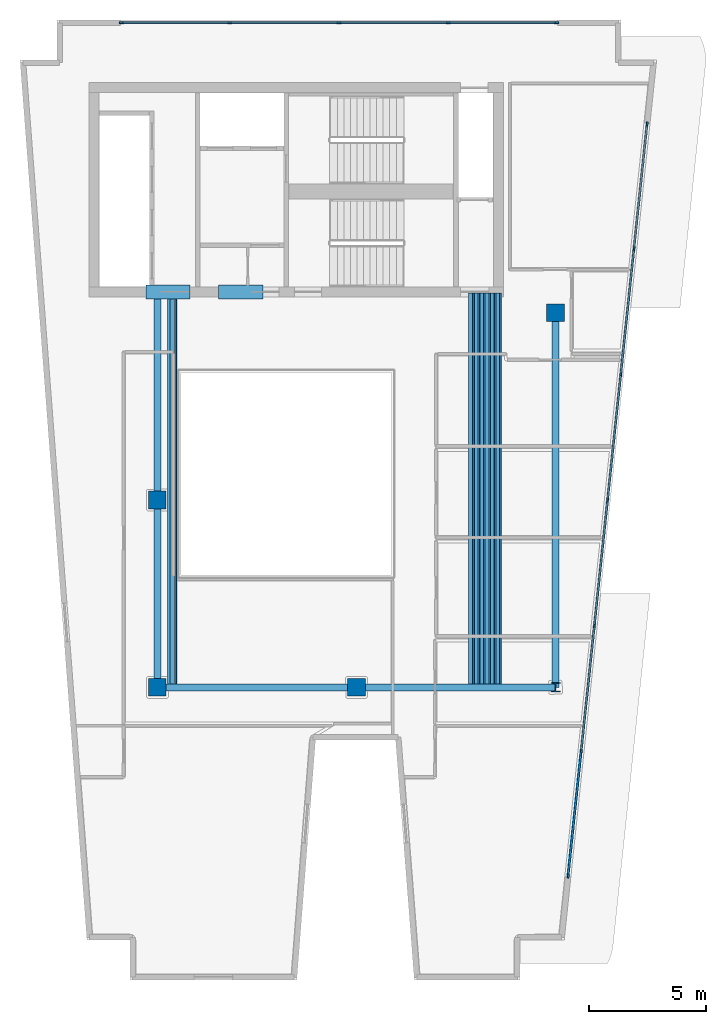
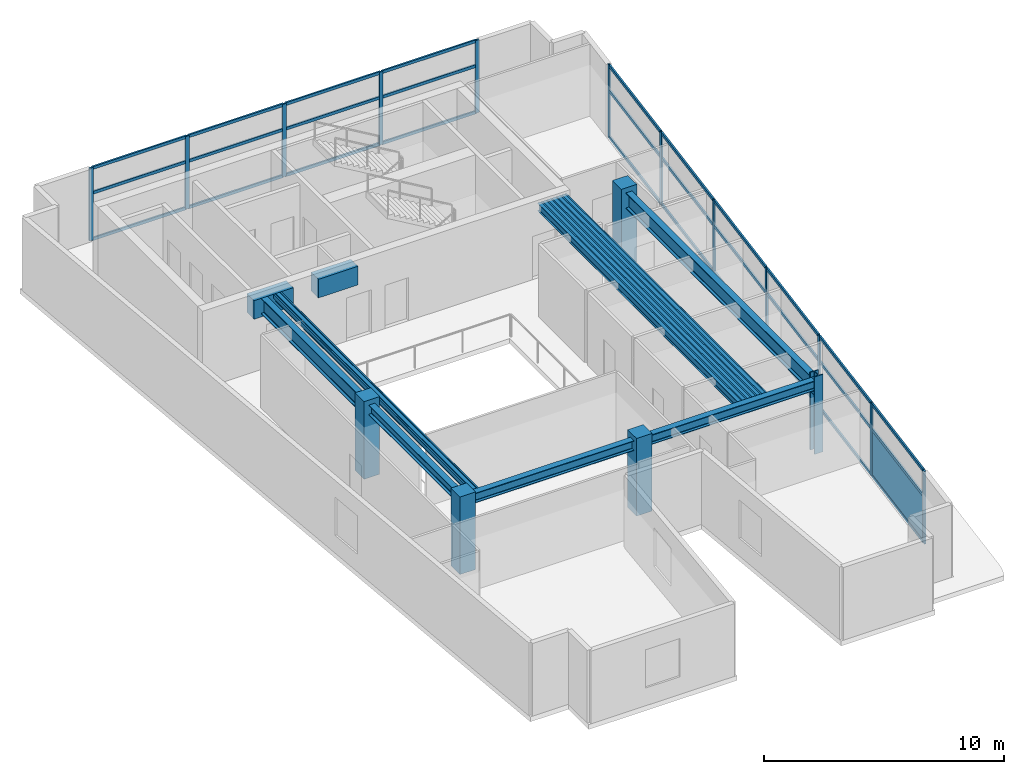
# One storey, part 1 of 6: 42 members, 22 beams, 5 columns, 1 plate, 2 elements without a shape of their own.
"""IFC4 building model written with IfcOpenShell, lengths in metres."""

from ifc_helpers import new_model, si_unit, direction, frame, origin, origin_2d, place, context, subcontext, project, spatial, rectangle, hollow_rectangle, i_section, extrude, material, layer, layer_set, material_profile, profile_set, type_object, element, aggregate, save


model = new_model("IFC4")

# Units and contexts
model_context = context("Model", 3, precision=1e-05, world=origin(), true_north=direction((0.0, 1.0)))
body_context = subcontext(model_context, "Body", "Model", "MODEL_VIEW")
ifc_project = project(units=[si_unit("LENGTHUNIT", "METRE"), si_unit("AREAUNIT", "SQUARE_METRE"), si_unit("VOLUMEUNIT", "CUBIC_METRE"), si_unit("PLANEANGLEUNIT", "RADIAN"), si_unit("MASSUNIT", "GRAM", prefix="KILO")], contexts=[model_context])

# Site, building, storey
site_placement = place(None, origin())
site = spatial("IfcSite", under=ifc_project, at=site_placement, CompositionType="ELEMENT")
building_placement = place(site_placement, origin())
building = spatial("IfcBuilding", under=site, at=building_placement, Name="Caeloran Harvest Quay", CompositionType="ELEMENT")
storey_placement = place(building_placement, frame((0.0, 0.0, 276.449951171875)))
storey = spatial("IfcBuildingStorey", under=building, at=storey_placement, Name="L66", CompositionType="ELEMENT", Elevation=276.449951171875)

# Columns
ifc_material_1 = material(Name="Concrete C60/75", Category="concrete")
ifc_material_profile_1 = material_profile(ifc_material_1, rectangle(XDim=0.75, YDim=0.75, at=origin_2d()), Name="RC 750x750")
ifc_profile_set_1 = profile_set([ifc_material_profile_1], Name="Concrete C60/75")
column_type_1 = type_object("IfcColumnType", Name="COL-MC-5-RC_750x750", PredefinedType="COLUMN", material=ifc_profile_set_1)
for number, where, z_axis, x_axis, name in (
    (1, (8.5, 15.0, 0.0), (0.0, 0.0, 1.0), (1.0, 0.0, 0.0), "L66 Structural Column (8.5, 15.0)"),
    (2, (8.5, 23.0, 0.0), (0.0, 0.0, 1.0), (1.0, 0.0, 0.0), "L66 Structural Column (8.5, 23.0)"),
    (3, (17.0, 15.0, 0.0), (0.0, 0.0, 1.0), (1.0, 0.0, 0.0), "L66 Structural Column (17.0, 15.0)"),
    (4, (25.5, 31.0, 0.0), (0.0, 0.0, 1.0), (1.0, 0.0, 0.0), "L66 Structural Column (25.5, 31.0)"),
):
    element("IfcColumn", number, at=place(storey_placement, frame(where, z_axis=z_axis, x_axis=x_axis)), inside=storey, type_object=column_type_1, Name=name, PredefinedType="COLUMN", context=body_context, shape_type="SweptSolid", body=[
        extrude(rectangle(XDim=0.75, YDim=0.75, at=origin_2d()), origin(), (0.0, 0.0, 1.0), 3.949951171875),
    ])
ifc_material_2 = material(Name="Steel HISTAR 460", Category="steel")
ifc_material_profile_2 = material_profile(ifc_material_2, i_section(OverallWidth=0.406005859375, OverallDepth=0.416015625, WebThickness=0.02978515625, FlangeThickness=0.048095703125, FilletRadius=0.014892578125, at=origin_2d()), Name="HD 400x382")
ifc_profile_set_2 = profile_set([ifc_material_profile_2], Name="Steel HISTAR 460")
column_type_2 = type_object("IfcColumnType", Name="COL-SC-5-HD_400x382", PredefinedType="COLUMN", material=ifc_profile_set_2)
column_placement = place(storey_placement, frame((25.5, 15.0, 0.0), z_axis=(0.0, 0.0, 1.0), x_axis=(1.0, 0.0, 0.0)))
element("IfcColumn", 5, at=column_placement, inside=storey, type_object=column_type_2, Name="L66 Structural Column (25.5, 15.0)", PredefinedType="COLUMN", context=body_context, shape_type="SweptSolid", body=[
    extrude(i_section(OverallWidth=0.406005859375, OverallDepth=0.416015625, WebThickness=0.02978515625, FlangeThickness=0.048095703125, FilletRadius=0.014892578125, at=origin_2d()), origin(), (0.0, 0.0, 1.0), 3.949951171875),
])

# Beams
ifc_material_profile_3 = material_profile(ifc_material_1, rectangle(XDim=0.60009765625, YDim=0.949951171875, at=origin_2d()), Name="RC 600x950")
ifc_profile_set_3 = profile_set([ifc_material_profile_3], Name="Concrete C60/75")
beam_type_1 = type_object("IfcBeamType", Name="BM-CB-2-RC_600x950", PredefinedType="LINTEL", material=ifc_profile_set_3)
for number, where, z_axis, x_axis, name in (
    (6, (8.0, 31.889892578125, 3.22509765625), (1.0, 0.0, 0.0), (0.0, 1.0, 0.0), "L66 Core Coupling Beam 1"),
    (7, (11.10009765625, 31.889892578125, 3.22509765625), (1.0, 0.0, 0.0), (0.0, 1.0, 0.0), "L66 Core Coupling Beam 2"),
):
    element("IfcBeam", number, at=place(storey_placement, frame(where, z_axis=z_axis, x_axis=x_axis)), inside=storey, type_object=beam_type_1, Name=name, PredefinedType="LINTEL", context=body_context, shape_type="SweptSolid", body=[
        extrude(rectangle(XDim=0.60009765625, YDim=0.949951171875, at=origin_2d()), origin(), (0.0, 0.0, 1.0), 1.89990234375),
    ])
ifc_material_3 = material(Name="Steel S355J2", Category="steel")
ifc_material_profile_4 = material_profile(ifc_material_3, i_section(OverallWidth=0.300048828125, OverallDepth=0.800048828125, WebThickness=0.017578125, FlangeThickness=0.032958984375, FilletRadius=0.030029296875, at=origin_2d()), Name="HE 800 B")
ifc_profile_set_4 = profile_set([ifc_material_profile_4], Name="Steel S355J2")
beam_type_2 = type_object("IfcBeamType", Name="BM-PG-1-HE_800_B", PredefinedType="BEAM", material=ifc_profile_set_4)
beam_1_placement = place(storey_placement, frame((8.5, 23.0, 3.300048828125), z_axis=(0.0, 1.0, 0.0), x_axis=(-1.0, 0.0, 0.0)))
element("IfcBeam", 8, at=beam_1_placement, inside=storey, type_object=beam_type_2, Name="L66 Core South Tie Girder X=8.5", PredefinedType="BEAM", context=body_context, shape_type="SweptSolid", body=[
    extrude(i_section(OverallWidth=0.300048828125, OverallDepth=0.800048828125, WebThickness=0.017578125, FlangeThickness=0.032958984375, FilletRadius=0.030029296875, at=origin_2d()), origin(), (0.0, 0.0, 1.0), 8.840087890625),
])
beam_2_placement = place(storey_placement, frame((25.5, 15.0, 3.300048828125), z_axis=(0.0, 1.0, 0.0), x_axis=(-1.0, 0.0, 0.0)))
element("IfcBeam", 9, at=beam_2_placement, inside=storey, type_object=beam_type_2, Name="L66 Primary North-South Girder X=25.5", PredefinedType="BEAM", context=body_context, shape_type="SweptSolid", body=[
    extrude(i_section(OverallWidth=0.300048828125, OverallDepth=0.800048828125, WebThickness=0.017578125, FlangeThickness=0.032958984375, FilletRadius=0.030029296875, at=origin_2d()), origin(), (0.0, 0.0, 1.0), 16.0),
])
ifc_material_profile_5 = material_profile(ifc_material_3, i_section(OverallWidth=0.300048828125, OverallDepth=0.5, WebThickness=0.014404296875, FlangeThickness=0.028076171875, FilletRadius=0.027099609375, at=origin_2d()), Name="HE 500 B")
ifc_profile_set_5 = profile_set([ifc_material_profile_5], Name="Steel S355J2")
beam_type_3 = type_object("IfcBeamType", Name="BM-PG-4-HE_500_B", PredefinedType="BEAM", material=ifc_profile_set_5)
for number, where, z_axis, x_axis, name in (
    (10, (8.5, 15.0, 3.449951171875), (1.0, 0.0, 0.0), (0.0, 1.0, 0.0), "L66 Primary East-West Girder Y=15.0"),
    (11, (17.0, 15.0, 3.449951171875), (1.0, 0.0, 0.0), (0.0, 1.0, 0.0), "L66 Primary East-West Girder Y=15.0"),
):
    element("IfcBeam", number, at=place(storey_placement, frame(where, z_axis=z_axis, x_axis=x_axis)), inside=storey, type_object=beam_type_3, Name=name, PredefinedType="BEAM", context=body_context, shape_type="SweptSolid", body=[
        extrude(i_section(OverallWidth=0.300048828125, OverallDepth=0.5, WebThickness=0.014404296875, FlangeThickness=0.028076171875, FilletRadius=0.027099609375, at=origin_2d()), origin(), (0.0, 0.0, 1.0), 8.5),
    ])
beam_3_placement = place(storey_placement, frame((8.5, 15.0, 3.449951171875), z_axis=(0.0, 1.0, 0.0), x_axis=(-1.0, 0.0, 0.0)))
element("IfcBeam", 12, at=beam_3_placement, inside=storey, type_object=beam_type_3, Name="L66 Primary North-South Girder X=8.5", PredefinedType="BEAM", context=body_context, shape_type="SweptSolid", body=[
    extrude(i_section(OverallWidth=0.300048828125, OverallDepth=0.5, WebThickness=0.014404296875, FlangeThickness=0.028076171875, FilletRadius=0.027099609375, at=origin_2d()), origin(), (0.0, 0.0, 1.0), 8.0),
])
ifc_material_profile_6 = material_profile(ifc_material_3, i_section(OverallWidth=0.179931640625, OverallDepth=0.39990234375, WebThickness=0.008544921875, FlangeThickness=0.013427734375, FilletRadius=0.02099609375, at=origin_2d()), Name="IPE 400")
ifc_profile_set_6 = profile_set([ifc_material_profile_6], Name="Steel S355J2")
beam_type_4 = type_object("IfcBeamType", Name="BM-SB-4-IPE_400", PredefinedType="JOIST", material=ifc_profile_set_6)
for number, where, z_axis, x_axis, name in (
    (13, (9.129638671875, 15.14501953125, 3.5), (0.0, 1.0, 0.0), (-1.0, 0.0, 0.0), "L66 Secondary Composite Joist"),
    (14, (21.876708984375, 15.14501953125, 3.5), (0.0, 1.0, 0.0), (-1.0, 0.0, 0.0), "L66 Secondary Composite Joist"),
    (15, (22.10888671875, 15.14501953125, 3.5), (0.0, 1.0, 0.0), (-1.0, 0.0, 0.0), "L66 Secondary Composite Joist"),
    (16, (22.341064453125, 15.14501953125, 3.5), (0.0, 1.0, 0.0), (-1.0, 0.0, 0.0), "L66 Secondary Composite Joist"),
    (17, (22.5732421875, 15.14501953125, 3.5), (0.0, 1.0, 0.0), (-1.0, 0.0, 0.0), "L66 Secondary Composite Joist"),
    (18, (22.8056640625, 15.14501953125, 3.5), (0.0, 1.0, 0.0), (-1.0, 0.0, 0.0), "L66 Secondary Composite Joist"),
    (19, (23.037841796875, 15.14501953125, 3.5), (0.0, 1.0, 0.0), (-1.0, 0.0, 0.0), "L66 Secondary Composite Joist"),
):
    element("IfcBeam", number, at=place(storey_placement, frame(where, z_axis=z_axis, x_axis=x_axis)), inside=storey, type_object=beam_type_4, Name=name, PredefinedType="JOIST", context=body_context, shape_type="SweptSolid", body=[
        extrude(i_section(OverallWidth=0.179931640625, OverallDepth=0.39990234375, WebThickness=0.008544921875, FlangeThickness=0.013427734375, FilletRadius=0.02099609375, at=origin_2d()), origin(), (0.0, 0.0, 1.0), 16.695068359375),
    ])
ifc_material_profile_7 = material_profile(ifc_material_3, hollow_rectangle(XDim=0.080078125, YDim=0.199951171875, WallThickness=0.006103515625, InnerFilletRadius=0.006103515625, OuterFilletRadius=0.009033203125, at=origin_2d()), Name="RHS 200x80x6")
ifc_profile_set_7 = profile_set([ifc_material_profile_7], Name="Steel S355J2")
beam_type_5 = type_object("IfcBeamType", Name="BM-SB-7-RHS_200x80x6", PredefinedType="JOIST", material=ifc_profile_set_7)
for number, where, z_axis, x_axis, name in (
    (20, (8.97216796875, 15.14501953125, 3.60009765625), (0.0, 1.0, 0.0), (-1.0, 0.0, 0.0), "L66 Secondary Composite Joist"),
    (21, (9.287109375, 15.14501953125, 3.60009765625), (0.0, 1.0, 0.0), (-1.0, 0.0, 0.0), "L66 Secondary Composite Joist"),
    (22, (21.992919921875, 15.14501953125, 3.60009765625), (0.0, 1.0, 0.0), (-1.0, 0.0, 0.0), "L66 Secondary Composite Joist"),
    (23, (22.22509765625, 15.14501953125, 3.60009765625), (0.0, 1.0, 0.0), (-1.0, 0.0, 0.0), "L66 Secondary Composite Joist"),
    (24, (22.457275390625, 15.14501953125, 3.60009765625), (0.0, 1.0, 0.0), (-1.0, 0.0, 0.0), "L66 Secondary Composite Joist"),
    (25, (22.689453125, 15.14501953125, 3.60009765625), (0.0, 1.0, 0.0), (-1.0, 0.0, 0.0), "L66 Secondary Composite Joist"),
    (26, (22.921630859375, 15.14501953125, 3.60009765625), (0.0, 1.0, 0.0), (-1.0, 0.0, 0.0), "L66 Secondary Composite Joist"),
    (27, (23.15380859375, 15.14501953125, 3.60009765625), (0.0, 1.0, 0.0), (-1.0, 0.0, 0.0), "L66 Secondary Composite Joist"),
):
    element("IfcBeam", number, at=place(storey_placement, frame(where, z_axis=z_axis, x_axis=x_axis)), inside=storey, type_object=beam_type_5, Name=name, PredefinedType="JOIST", context=body_context, shape_type="SweptSolid", body=[
        extrude(hollow_rectangle(XDim=0.080078125, YDim=0.199951171875, WallThickness=0.006103515625, InnerFilletRadius=0.006103515625, OuterFilletRadius=0.009033203125, at=origin_2d()), origin(), (0.0, 0.0, 1.0), 16.695068359375),
    ])

# Curtain wall, members
ifc_material_4 = material(Name="Aluminium 6063-T6 and Low-E Glazing", Category="aluminium")
ifc_layer_1 = layer(ifc_material_4, 0.219970703125, Name="Aluminium 6063-T6 and Low-E Glazing")
ifc_layer_set_1 = layer_set([ifc_layer_1], Name="Aluminium 6063-T6 and Low-E Glazing")
curtain_wall_type = type_object("IfcCurtainWallType", Name="CW-SYS-CW-5", PredefinedType="USERDEFINED", material=ifc_layer_set_1)
curtain_wall_1_placement = place(storey_placement, origin())
curtain_wall_1 = element("IfcCurtainWall", 28, at=curtain_wall_1_placement, inside=storey, type_object=curtain_wall_type, Name="L66 Unitised Curtain Wall CW-5 Run 6", ObjectType="CURTAIN_WALL", PredefinedType="USERDEFINED")
ifc_material_5 = material(Name="Aluminium 6063-T6", Category="aluminium")
ifc_material_profile_8 = material_profile(ifc_material_5, rectangle(XDim=0.080078125, YDim=0.179931640625, at=origin_2d()), Name="CW-MULLION-180")
ifc_profile_set_8 = profile_set([ifc_material_profile_8], Name="Aluminium 6063-T6")
member_type_1 = type_object("IfcMemberType", Name="CW-MULLION-180", PredefinedType="MULLION", material=ifc_profile_set_8)
member_1_placement = place(storey_placement, frame((6.9599609375, 43.3798828125, 0.0), z_axis=(0.0, 0.0, 1.0), x_axis=(0.0, 1.0, 0.0)))
member_1 = element("IfcMember", 29, at=member_1_placement, type_object=member_type_1, Name="CW-5 mullion 1", PredefinedType="MULLION", context=body_context, shape_type="SweptSolid", body=[
    extrude(rectangle(XDim=0.080078125, YDim=0.179931640625, at=origin_2d()), origin(), (0.0, 0.0, 1.0), 3.699951171875),
])
member_2_placement = place(storey_placement, frame((11.5849609375, 43.3798828125, 0.0), z_axis=(0.0, 0.0, 1.0), x_axis=(0.0, 1.0, 0.0)))
member_2 = element("IfcMember", 30, at=member_2_placement, type_object=member_type_1, Name="CW-5 mullion 2", PredefinedType="MULLION", context=body_context, shape_type="SweptSolid", body=[
    extrude(rectangle(XDim=0.080078125, YDim=0.179931640625, at=origin_2d()), origin(), (0.0, 0.0, 1.0), 3.699951171875),
])
member_3_placement = place(storey_placement, frame((16.25, 43.3798828125, 0.0), z_axis=(0.0, 0.0, 1.0), x_axis=(0.0, 1.0, 0.0)))
member_3 = element("IfcMember", 31, at=member_3_placement, type_object=member_type_1, Name="CW-5 mullion 3", PredefinedType="MULLION", context=body_context, shape_type="SweptSolid", body=[
    extrude(rectangle(XDim=0.080078125, YDim=0.179931640625, at=origin_2d()), origin(), (0.0, 0.0, 1.0), 3.699951171875),
])
member_4_placement = place(storey_placement, frame((20.9150390625, 43.3798828125, 0.0), z_axis=(0.0, 0.0, 1.0), x_axis=(0.0, 1.0, 0.0)))
member_4 = element("IfcMember", 32, at=member_4_placement, type_object=member_type_1, Name="CW-5 mullion 4", PredefinedType="MULLION", context=body_context, shape_type="SweptSolid", body=[
    extrude(rectangle(XDim=0.080078125, YDim=0.179931640625, at=origin_2d()), origin(), (0.0, 0.0, 1.0), 3.699951171875),
])
member_5_placement = place(storey_placement, frame((25.5400390625, 43.3798828125, 0.0), z_axis=(0.0, 0.0, 1.0), x_axis=(0.0, 1.0, 0.0)))
member_5 = element("IfcMember", 33, at=member_5_placement, type_object=member_type_1, Name="CW-5 mullion 5", PredefinedType="MULLION", context=body_context, shape_type="SweptSolid", body=[
    extrude(rectangle(XDim=0.080078125, YDim=0.179931640625, at=origin_2d()), origin(), (0.0, 0.0, 1.0), 3.699951171875),
])

curtain_wall_2_placement = place(storey_placement, origin())
curtain_wall_2 = element("IfcCurtainWall", 34, at=curtain_wall_2_placement, inside=storey, type_object=curtain_wall_type, Name="L66 Unitised Curtain Wall CW-5 Run 9", ObjectType="CURTAIN_WALL", PredefinedType="USERDEFINED")
member_6_placement = place(storey_placement, frame((29.412353515625, 39.054443359375, 0.0), z_axis=(0.0, 0.0, 1.0), x_axis=(0.994529078655, -0.104460096251, 0.0)))
member_6 = element("IfcMember", 35, at=member_6_placement, type_object=member_type_1, Name="CW-5 mullion 1", PredefinedType="MULLION", context=body_context, shape_type="SweptSolid", body=[
    extrude(rectangle(XDim=0.080078125, YDim=0.179931640625, at=origin_2d()), origin(), (0.0, 0.0, 1.0), 3.699951171875),
])
member_7_placement = place(storey_placement, frame((28.85302734375, 33.7294921875, 0.0), z_axis=(0.0, 0.0, 1.0), x_axis=(0.994529078655, -0.104460096251, 0.0)))
member_7 = element("IfcMember", 36, at=member_7_placement, type_object=member_type_1, Name="CW-5 mullion 2", PredefinedType="MULLION", context=body_context, shape_type="SweptSolid", body=[
    extrude(rectangle(XDim=0.080078125, YDim=0.179931640625, at=origin_2d()), origin(), (0.0, 0.0, 1.0), 3.699951171875),
])
member_8_placement = place(storey_placement, frame((28.28955078125, 28.36474609375, 0.0), z_axis=(0.0, 0.0, 1.0), x_axis=(0.994529078655, -0.104460096251, 0.0)))
member_8 = element("IfcMember", 37, at=member_8_placement, type_object=member_type_1, Name="CW-5 mullion 3", PredefinedType="MULLION", context=body_context, shape_type="SweptSolid", body=[
    extrude(rectangle(XDim=0.080078125, YDim=0.179931640625, at=origin_2d()), origin(), (0.0, 0.0, 1.0), 3.699951171875),
])
member_9_placement = place(storey_placement, frame((27.72607421875, 23.0, 0.0), z_axis=(0.0, 0.0, 1.0), x_axis=(0.994529078655, -0.104460096251, 0.0)))
member_9 = element("IfcMember", 38, at=member_9_placement, type_object=member_type_1, Name="CW-5 mullion 4", PredefinedType="MULLION", context=body_context, shape_type="SweptSolid", body=[
    extrude(rectangle(XDim=0.080078125, YDim=0.179931640625, at=origin_2d()), origin(), (0.0, 0.0, 1.0), 3.699951171875),
])
member_10_placement = place(storey_placement, frame((27.16259765625, 17.63525390625, 0.0), z_axis=(0.0, 0.0, 1.0), x_axis=(0.994529078655, -0.104460096251, 0.0)))
member_10 = element("IfcMember", 39, at=member_10_placement, type_object=member_type_1, Name="CW-5 mullion 5", PredefinedType="MULLION", context=body_context, shape_type="SweptSolid", body=[
    extrude(rectangle(XDim=0.080078125, YDim=0.179931640625, at=origin_2d()), origin(), (0.0, 0.0, 1.0), 3.699951171875),
])
member_11_placement = place(storey_placement, frame((26.59912109375, 12.2705078125, 0.0), z_axis=(0.0, 0.0, 1.0), x_axis=(0.994529078655, -0.104460096251, 0.0)))
member_11 = element("IfcMember", 40, at=member_11_placement, type_object=member_type_1, Name="CW-5 mullion 6", PredefinedType="MULLION", context=body_context, shape_type="SweptSolid", body=[
    extrude(rectangle(XDim=0.080078125, YDim=0.179931640625, at=origin_2d()), origin(), (0.0, 0.0, 1.0), 3.699951171875),
])
member_12_placement = place(storey_placement, frame((26.039794921875, 6.945556640625, 0.0), z_axis=(0.0, 0.0, 1.0), x_axis=(0.994529078655, -0.104460096251, 0.0)))
member_12 = element("IfcMember", 41, at=member_12_placement, type_object=member_type_1, Name="CW-5 mullion 7", PredefinedType="MULLION", context=body_context, shape_type="SweptSolid", body=[
    extrude(rectangle(XDim=0.080078125, YDim=0.179931640625, at=origin_2d()), origin(), (0.0, 0.0, 1.0), 3.699951171875),
])

# Member
ifc_material_profile_9 = material_profile(ifc_material_5, rectangle(XDim=0.080078125, YDim=0.14990234375, at=origin_2d()), Name="CW-TRANSOM-150")
ifc_profile_set_9 = profile_set([ifc_material_profile_9], Name="Aluminium 6063-T6")
member_type_2 = type_object("IfcMemberType", Name="CW-TRANSOM-150", PredefinedType="USERDEFINED", material=ifc_profile_set_9)
member_13_placement = place(storey_placement, frame((7.0, 43.3798828125, 0.0400390625), z_axis=(1.0, 0.0, 0.0), x_axis=(0.0, 1.0, 0.0)))
member_13 = element("IfcMember", 42, at=member_13_placement, type_object=member_type_2, Name="CW-5 transom 1.1", ObjectType="TRANSOM", PredefinedType="USERDEFINED", context=body_context, shape_type="SweptSolid", body=[
    extrude(rectangle(XDim=0.080078125, YDim=0.14990234375, at=origin_2d()), origin(), (0.0, 0.0, 1.0), 4.544921875),
])

member_14_placement = place(storey_placement, frame((7.0, 43.3798828125, 2.400146484375), z_axis=(1.0, 0.0, 0.0), x_axis=(0.0, 1.0, 0.0)))
member_14 = element("IfcMember", 43, at=member_14_placement, type_object=member_type_2, Name="CW-5 transom 1.2", ObjectType="TRANSOM", PredefinedType="USERDEFINED", context=body_context, shape_type="SweptSolid", body=[
    extrude(rectangle(XDim=0.080078125, YDim=0.14990234375, at=origin_2d()), origin(), (0.0, 0.0, 1.0), 4.544921875),
])

member_15_placement = place(storey_placement, frame((7.0, 43.3798828125, 3.66015625), z_axis=(1.0, 0.0, 0.0), x_axis=(0.0, 1.0, 0.0)))
member_15 = element("IfcMember", 44, at=member_15_placement, type_object=member_type_2, Name="CW-5 transom 1.3", ObjectType="TRANSOM", PredefinedType="USERDEFINED", context=body_context, shape_type="SweptSolid", body=[
    extrude(rectangle(XDim=0.080078125, YDim=0.14990234375, at=origin_2d()), origin(), (0.0, 0.0, 1.0), 4.544921875),
])

member_16_placement = place(storey_placement, frame((11.625, 43.3798828125, 0.0400390625), z_axis=(1.0, 0.0, 0.0), x_axis=(0.0, 1.0, 0.0)))
member_16 = element("IfcMember", 45, at=member_16_placement, type_object=member_type_2, Name="CW-5 transom 2.1", ObjectType="TRANSOM", PredefinedType="USERDEFINED", context=body_context, shape_type="SweptSolid", body=[
    extrude(rectangle(XDim=0.080078125, YDim=0.14990234375, at=origin_2d()), origin(), (0.0, 0.0, 1.0), 4.5849609375),
])

member_17_placement = place(storey_placement, frame((11.625, 43.3798828125, 2.400146484375), z_axis=(1.0, 0.0, 0.0), x_axis=(0.0, 1.0, 0.0)))
member_17 = element("IfcMember", 46, at=member_17_placement, type_object=member_type_2, Name="CW-5 transom 2.2", ObjectType="TRANSOM", PredefinedType="USERDEFINED", context=body_context, shape_type="SweptSolid", body=[
    extrude(rectangle(XDim=0.080078125, YDim=0.14990234375, at=origin_2d()), origin(), (0.0, 0.0, 1.0), 4.5849609375),
])

member_18_placement = place(storey_placement, frame((11.625, 43.3798828125, 3.66015625), z_axis=(1.0, 0.0, 0.0), x_axis=(0.0, 1.0, 0.0)))
member_18 = element("IfcMember", 47, at=member_18_placement, type_object=member_type_2, Name="CW-5 transom 2.3", ObjectType="TRANSOM", PredefinedType="USERDEFINED", context=body_context, shape_type="SweptSolid", body=[
    extrude(rectangle(XDim=0.080078125, YDim=0.14990234375, at=origin_2d()), origin(), (0.0, 0.0, 1.0), 4.5849609375),
])

member_19_placement = place(storey_placement, frame((16.2900390625, 43.3798828125, 0.0400390625), z_axis=(1.0, 0.0, 0.0), x_axis=(0.0, 1.0, 0.0)))
member_19 = element("IfcMember", 48, at=member_19_placement, type_object=member_type_2, Name="CW-5 transom 3.1", ObjectType="TRANSOM", PredefinedType="USERDEFINED", context=body_context, shape_type="SweptSolid", body=[
    extrude(rectangle(XDim=0.080078125, YDim=0.14990234375, at=origin_2d()), origin(), (0.0, 0.0, 1.0), 4.5849609375),
])

member_20_placement = place(storey_placement, frame((16.2900390625, 43.3798828125, 2.400146484375), z_axis=(1.0, 0.0, 0.0), x_axis=(0.0, 1.0, 0.0)))
member_20 = element("IfcMember", 49, at=member_20_placement, type_object=member_type_2, Name="CW-5 transom 3.2", ObjectType="TRANSOM", PredefinedType="USERDEFINED", context=body_context, shape_type="SweptSolid", body=[
    extrude(rectangle(XDim=0.080078125, YDim=0.14990234375, at=origin_2d()), origin(), (0.0, 0.0, 1.0), 4.5849609375),
])

member_21_placement = place(storey_placement, frame((16.2900390625, 43.3798828125, 3.66015625), z_axis=(1.0, 0.0, 0.0), x_axis=(0.0, 1.0, 0.0)))
member_21 = element("IfcMember", 50, at=member_21_placement, type_object=member_type_2, Name="CW-5 transom 3.3", ObjectType="TRANSOM", PredefinedType="USERDEFINED", context=body_context, shape_type="SweptSolid", body=[
    extrude(rectangle(XDim=0.080078125, YDim=0.14990234375, at=origin_2d()), origin(), (0.0, 0.0, 1.0), 4.5849609375),
])

member_22_placement = place(storey_placement, frame((20.955078125, 43.3798828125, 0.0400390625), z_axis=(1.0, 0.0, 0.0), x_axis=(0.0, 1.0, 0.0)))
member_22 = element("IfcMember", 51, at=member_22_placement, type_object=member_type_2, Name="CW-5 transom 4.1", ObjectType="TRANSOM", PredefinedType="USERDEFINED", context=body_context, shape_type="SweptSolid", body=[
    extrude(rectangle(XDim=0.080078125, YDim=0.14990234375, at=origin_2d()), origin(), (0.0, 0.0, 1.0), 4.544921875),
])

member_23_placement = place(storey_placement, frame((20.955078125, 43.3798828125, 2.400146484375), z_axis=(1.0, 0.0, 0.0), x_axis=(0.0, 1.0, 0.0)))
member_23 = element("IfcMember", 52, at=member_23_placement, type_object=member_type_2, Name="CW-5 transom 4.2", ObjectType="TRANSOM", PredefinedType="USERDEFINED", context=body_context, shape_type="SweptSolid", body=[
    extrude(rectangle(XDim=0.080078125, YDim=0.14990234375, at=origin_2d()), origin(), (0.0, 0.0, 1.0), 4.544921875),
])

member_24_placement = place(storey_placement, frame((20.955078125, 43.3798828125, 3.66015625), z_axis=(1.0, 0.0, 0.0), x_axis=(0.0, 1.0, 0.0)))
member_24 = element("IfcMember", 53, at=member_24_placement, type_object=member_type_2, Name="CW-5 transom 4.3", ObjectType="TRANSOM", PredefinedType="USERDEFINED", context=body_context, shape_type="SweptSolid", body=[
    extrude(rectangle(XDim=0.080078125, YDim=0.14990234375, at=origin_2d()), origin(), (0.0, 0.0, 1.0), 4.544921875),
])

aggregate(curtain_wall_1, [member_1, member_2, member_3, member_4, member_5, member_13, member_14, member_15, member_16, member_17, member_18, member_19, member_20, member_21, member_22, member_23, member_24])

member_25_placement = place(storey_placement, frame((29.408203125, 39.0146484375, 0.0400390625), z_axis=(-0.104475148335, -0.994527497549, 0.0), x_axis=(0.994527497549, -0.104475148335, 0.0)))
member_25 = element("IfcMember", 54, at=member_25_placement, type_object=member_type_2, Name="CW-5 transom 1.1", ObjectType="TRANSOM", PredefinedType="USERDEFINED", context=body_context, shape_type="SweptSolid", body=[
    extrude(rectangle(XDim=0.080078125, YDim=0.14990234375, at=origin_2d()), origin(), (0.0, 0.0, 1.0), 5.274169921875),
])

member_26_placement = place(storey_placement, frame((29.408203125, 39.0146484375, 2.400146484375), z_axis=(-0.104475148335, -0.994527497549, 0.0), x_axis=(0.994527497549, -0.104475148335, 0.0)))
member_26 = element("IfcMember", 55, at=member_26_placement, type_object=member_type_2, Name="CW-5 transom 1.2", ObjectType="TRANSOM", PredefinedType="USERDEFINED", context=body_context, shape_type="SweptSolid", body=[
    extrude(rectangle(XDim=0.080078125, YDim=0.14990234375, at=origin_2d()), origin(), (0.0, 0.0, 1.0), 5.274169921875),
])

member_27_placement = place(storey_placement, frame((29.408203125, 39.0146484375, 3.66015625), z_axis=(-0.104475148335, -0.994527497549, 0.0), x_axis=(0.994527497549, -0.104475148335, 0.0)))
member_27 = element("IfcMember", 56, at=member_27_placement, type_object=member_type_2, Name="CW-5 transom 1.3", ObjectType="TRANSOM", PredefinedType="USERDEFINED", context=body_context, shape_type="SweptSolid", body=[
    extrude(rectangle(XDim=0.080078125, YDim=0.14990234375, at=origin_2d()), origin(), (0.0, 0.0, 1.0), 5.274169921875),
])

member_28_placement = place(storey_placement, frame((28.848876953125, 33.689697265625, 0.0400390625), z_axis=(-0.104469552209, -0.994528085406, 0.0), x_axis=(0.994528085406, -0.104469552209, 0.0)))
member_28 = element("IfcMember", 57, at=member_28_placement, type_object=member_type_2, Name="CW-5 transom 2.1", ObjectType="TRANSOM", PredefinedType="USERDEFINED", context=body_context, shape_type="SweptSolid", body=[
    extrude(rectangle(XDim=0.080078125, YDim=0.14990234375, at=origin_2d()), origin(), (0.0, 0.0, 1.0), 5.314208984375),
])

member_29_placement = place(storey_placement, frame((28.848876953125, 33.689697265625, 2.400146484375), z_axis=(-0.104469552209, -0.994528085406, 0.0), x_axis=(0.994528085406, -0.104469552209, 0.0)))
member_29 = element("IfcMember", 58, at=member_29_placement, type_object=member_type_2, Name="CW-5 transom 2.2", ObjectType="TRANSOM", PredefinedType="USERDEFINED", context=body_context, shape_type="SweptSolid", body=[
    extrude(rectangle(XDim=0.080078125, YDim=0.14990234375, at=origin_2d()), origin(), (0.0, 0.0, 1.0), 5.314208984375),
])

member_30_placement = place(storey_placement, frame((28.848876953125, 33.689697265625, 3.66015625), z_axis=(-0.104469552209, -0.994528085406, 0.0), x_axis=(0.994528085406, -0.104469552209, 0.0)))
member_30 = element("IfcMember", 59, at=member_30_placement, type_object=member_type_2, Name="CW-5 transom 2.3", ObjectType="TRANSOM", PredefinedType="USERDEFINED", context=body_context, shape_type="SweptSolid", body=[
    extrude(rectangle(XDim=0.080078125, YDim=0.14990234375, at=origin_2d()), origin(), (0.0, 0.0, 1.0), 5.314208984375),
])

member_31_placement = place(storey_placement, frame((28.285400390625, 28.324951171875, 0.0400390625), z_axis=(-0.104469552209, -0.994528085406, 0.0), x_axis=(0.994528085406, -0.104469552209, 0.0)))
member_31 = element("IfcMember", 60, at=member_31_placement, type_object=member_type_2, Name="CW-5 transom 3.1", ObjectType="TRANSOM", PredefinedType="USERDEFINED", context=body_context, shape_type="SweptSolid", body=[
    extrude(rectangle(XDim=0.080078125, YDim=0.14990234375, at=origin_2d()), origin(), (0.0, 0.0, 1.0), 5.314208984375),
])

member_32_placement = place(storey_placement, frame((28.285400390625, 28.324951171875, 2.400146484375), z_axis=(-0.104469552209, -0.994528085406, 0.0), x_axis=(0.994528085406, -0.104469552209, 0.0)))
member_32 = element("IfcMember", 61, at=member_32_placement, type_object=member_type_2, Name="CW-5 transom 3.2", ObjectType="TRANSOM", PredefinedType="USERDEFINED", context=body_context, shape_type="SweptSolid", body=[
    extrude(rectangle(XDim=0.080078125, YDim=0.14990234375, at=origin_2d()), origin(), (0.0, 0.0, 1.0), 5.314208984375),
])

member_33_placement = place(storey_placement, frame((28.285400390625, 28.324951171875, 3.66015625), z_axis=(-0.104469552209, -0.994528085406, 0.0), x_axis=(0.994528085406, -0.104469552209, 0.0)))
member_33 = element("IfcMember", 62, at=member_33_placement, type_object=member_type_2, Name="CW-5 transom 3.3", ObjectType="TRANSOM", PredefinedType="USERDEFINED", context=body_context, shape_type="SweptSolid", body=[
    extrude(rectangle(XDim=0.080078125, YDim=0.14990234375, at=origin_2d()), origin(), (0.0, 0.0, 1.0), 5.314208984375),
])

member_34_placement = place(storey_placement, frame((27.721923828125, 22.960205078125, 0.0400390625), z_axis=(-0.104469552209, -0.994528085406, 0.0), x_axis=(0.994528085406, -0.104469552209, 0.0)))
member_34 = element("IfcMember", 63, at=member_34_placement, type_object=member_type_2, Name="CW-5 transom 4.1", ObjectType="TRANSOM", PredefinedType="USERDEFINED", context=body_context, shape_type="SweptSolid", body=[
    extrude(rectangle(XDim=0.080078125, YDim=0.14990234375, at=origin_2d()), origin(), (0.0, 0.0, 1.0), 5.314208984375),
])

member_35_placement = place(storey_placement, frame((27.721923828125, 22.960205078125, 2.400146484375), z_axis=(-0.104469552209, -0.994528085406, 0.0), x_axis=(0.994528085406, -0.104469552209, 0.0)))
member_35 = element("IfcMember", 64, at=member_35_placement, type_object=member_type_2, Name="CW-5 transom 4.2", ObjectType="TRANSOM", PredefinedType="USERDEFINED", context=body_context, shape_type="SweptSolid", body=[
    extrude(rectangle(XDim=0.080078125, YDim=0.14990234375, at=origin_2d()), origin(), (0.0, 0.0, 1.0), 5.314208984375),
])

member_36_placement = place(storey_placement, frame((27.721923828125, 22.960205078125, 3.66015625), z_axis=(-0.104469552209, -0.994528085406, 0.0), x_axis=(0.994528085406, -0.104469552209, 0.0)))
member_36 = element("IfcMember", 65, at=member_36_placement, type_object=member_type_2, Name="CW-5 transom 4.3", ObjectType="TRANSOM", PredefinedType="USERDEFINED", context=body_context, shape_type="SweptSolid", body=[
    extrude(rectangle(XDim=0.080078125, YDim=0.14990234375, at=origin_2d()), origin(), (0.0, 0.0, 1.0), 5.314208984375),
])

member_37_placement = place(storey_placement, frame((27.158447265625, 17.595458984375, 0.0400390625), z_axis=(-0.104469552209, -0.994528085406, 0.0), x_axis=(0.994528085406, -0.104469552209, 0.0)))
member_37 = element("IfcMember", 66, at=member_37_placement, type_object=member_type_2, Name="CW-5 transom 5.1", ObjectType="TRANSOM", PredefinedType="USERDEFINED", context=body_context, shape_type="SweptSolid", body=[
    extrude(rectangle(XDim=0.080078125, YDim=0.14990234375, at=origin_2d()), origin(), (0.0, 0.0, 1.0), 5.314208984375),
])

member_38_placement = place(storey_placement, frame((27.158447265625, 17.595458984375, 2.400146484375), z_axis=(-0.104469552209, -0.994528085406, 0.0), x_axis=(0.994528085406, -0.104469552209, 0.0)))
member_38 = element("IfcMember", 67, at=member_38_placement, type_object=member_type_2, Name="CW-5 transom 5.2", ObjectType="TRANSOM", PredefinedType="USERDEFINED", context=body_context, shape_type="SweptSolid", body=[
    extrude(rectangle(XDim=0.080078125, YDim=0.14990234375, at=origin_2d()), origin(), (0.0, 0.0, 1.0), 5.314208984375),
])

member_39_placement = place(storey_placement, frame((27.158447265625, 17.595458984375, 3.66015625), z_axis=(-0.104469552209, -0.994528085406, 0.0), x_axis=(0.994528085406, -0.104469552209, 0.0)))
member_39 = element("IfcMember", 68, at=member_39_placement, type_object=member_type_2, Name="CW-5 transom 5.3", ObjectType="TRANSOM", PredefinedType="USERDEFINED", context=body_context, shape_type="SweptSolid", body=[
    extrude(rectangle(XDim=0.080078125, YDim=0.14990234375, at=origin_2d()), origin(), (0.0, 0.0, 1.0), 5.314208984375),
])

member_40_placement = place(storey_placement, frame((26.594970703125, 12.230712890625, 0.0400390625), z_axis=(-0.104475148335, -0.994527497549, 0.0), x_axis=(0.994527497549, -0.104475148335, 0.0)))
member_40 = element("IfcMember", 69, at=member_40_placement, type_object=member_type_2, Name="CW-5 transom 6.1", ObjectType="TRANSOM", PredefinedType="USERDEFINED", context=body_context, shape_type="SweptSolid", body=[
    extrude(rectangle(XDim=0.080078125, YDim=0.14990234375, at=origin_2d()), origin(), (0.0, 0.0, 1.0), 5.274169921875),
])

member_41_placement = place(storey_placement, frame((26.594970703125, 12.230712890625, 2.400146484375), z_axis=(-0.104475148335, -0.994527497549, 0.0), x_axis=(0.994527497549, -0.104475148335, 0.0)))
member_41 = element("IfcMember", 70, at=member_41_placement, type_object=member_type_2, Name="CW-5 transom 6.2", ObjectType="TRANSOM", PredefinedType="USERDEFINED", context=body_context, shape_type="SweptSolid", body=[
    extrude(rectangle(XDim=0.080078125, YDim=0.14990234375, at=origin_2d()), origin(), (0.0, 0.0, 1.0), 5.274169921875),
])

member_42_placement = place(storey_placement, frame((26.594970703125, 12.230712890625, 3.66015625), z_axis=(-0.104475148335, -0.994527497549, 0.0), x_axis=(0.994527497549, -0.104475148335, 0.0)))
member_42 = element("IfcMember", 71, at=member_42_placement, type_object=member_type_2, Name="CW-5 transom 6.3", ObjectType="TRANSOM", PredefinedType="USERDEFINED", context=body_context, shape_type="SweptSolid", body=[
    extrude(rectangle(XDim=0.080078125, YDim=0.14990234375, at=origin_2d()), origin(), (0.0, 0.0, 1.0), 5.274169921875),
])

# Plate
ifc_material_6 = material(Name="Low-E Double Glazed Vision Glass Unit", Category="glass")
ifc_layer_2 = layer(ifc_material_6, 0.035888671875, Name="Low-E Double Glazed Vision Glass Unit")
ifc_layer_set_2 = layer_set([ifc_layer_2], Name="Low-E Double Glazed Vision Glass Unit")
plate_type = type_object("IfcPlateType", Name="CW-VISION-PANEL", PredefinedType="CURTAIN_PANEL", material=ifc_layer_set_2)
plate_placement = place(storey_placement, frame((26.3193359375, 9.608154296875, 0.080078125), z_axis=(0.0, 0.0, 1.0), x_axis=(-0.104460096251, -0.994529078655, 0.0)))
plate = element("IfcPlate", 72, at=plate_placement, type_object=plate_type, Name="CW-5 panel 6.1", PredefinedType="CURTAIN_PANEL", context=body_context, shape_type="SweptSolid", body=[
    extrude(rectangle(XDim=5.274169921875, YDim=0.035888671875, at=origin_2d()), origin(), (0.0, 0.0, 1.0), 2.280029296875),
])

aggregate(curtain_wall_2, [member_6, member_7, member_8, member_9, member_10, member_11, member_12, member_25, member_26, member_27, member_28, member_29, member_30, member_31, member_32, member_33, member_34, member_35, member_36, member_37, member_38, member_39, member_40, member_41, member_42, plate])

save(model, "model.ifc")
